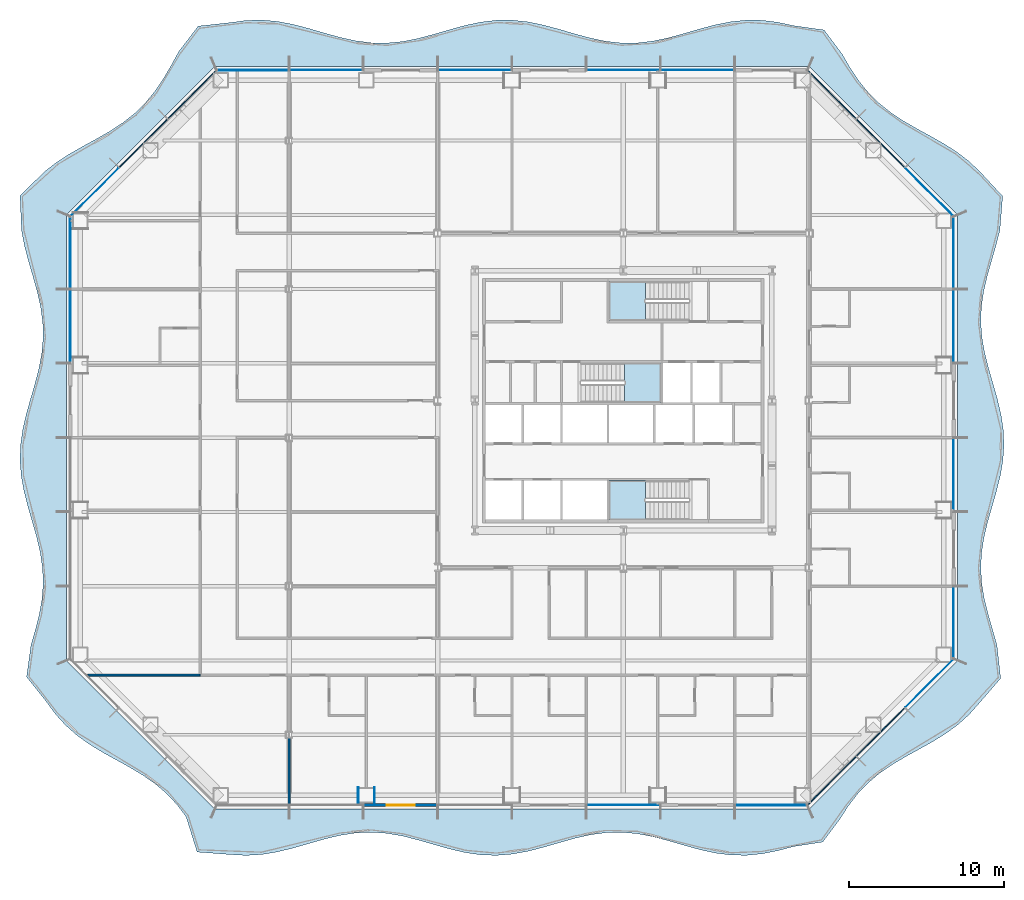
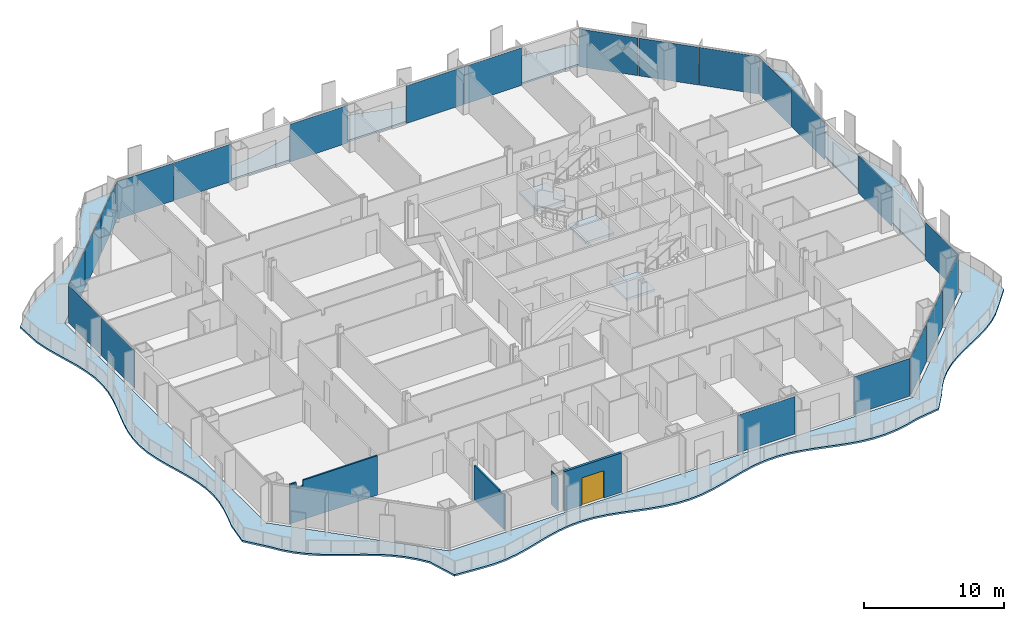
# One storey, part 5 of 21: 22 plates, 5 walls, 4 slabs, 1 door, 1 opening, 10 elements without a shape of their own.
"""IFC4 building model written with IfcOpenShell, lengths in metres."""

from ifc_helpers import new_model, si_unit, direction, frame, frame_2d, origin, origin_2d, place, context, subcontext, project, spatial, polyline, rectangle, outline, extrude, material, layer, layer_set, type_object, element, fill, aggregate, save


model = new_model("IFC4")

# Units and contexts
model_context = context("Model", 3, precision=1e-05, world=origin(), true_north=direction((0.0, 1.0)))
body_context = subcontext(model_context, "Body", "Model", "MODEL_VIEW")
ifc_project = project(units=[si_unit("LENGTHUNIT", "METRE"), si_unit("AREAUNIT", "SQUARE_METRE"), si_unit("VOLUMEUNIT", "CUBIC_METRE"), si_unit("PLANEANGLEUNIT", "RADIAN"), si_unit("MASSUNIT", "GRAM", prefix="KILO")], contexts=[model_context])

# Site, building, storey
site_placement = place(None, origin())
site = spatial("IfcSite", under=ifc_project, at=site_placement, CompositionType="ELEMENT")
building_placement = place(site_placement, origin())
building = spatial("IfcBuilding", under=site, at=building_placement, Name="Cairn Pilgrim Tower", CompositionType="ELEMENT")
storey_placement = place(building_placement, frame((0.0, 0.0, 47.39990234375)))
storey = spatial("IfcBuildingStorey", under=building, at=storey_placement, Name="L09", CompositionType="ELEMENT", Elevation=47.39990234375)

# Slab
ifc_material_1 = material(Name="Concrete C35/45", Category="concrete")
ifc_layer_1 = layer(ifc_material_1, 0.14990234375)
ifc_layer_set_1 = layer_set([ifc_layer_1], Name="BALCONY SLAB 150 CONCRETE C35/45")
slab_type_1 = type_object("IfcSlabType", Name="BALCONY SLAB 150 CONCRETE C35/45", PredefinedType="FLOOR", material=ifc_layer_set_1)
slab_1_placement = place(storey_placement, frame((0.0, 0.0, -0.14990234375)))
element("IfcSlab", 1, at=slab_1_placement, inside=storey, type_object=slab_type_1, Name="Balcony slab BS-1", PredefinedType="FLOOR", context=body_context, shape_type="SweptSolid", body=[
    extrude(outline(polyline([(-21.06494140625, -24.493408203125), (-20.3515625, -26.7802734375), (-18.189453125, -26.944091796875), (-17.178955078125, -27.0), (-16.16845703125, -26.939208984375), (-15.157958984375, -26.771484375), (-14.1474609375, -26.522705078125), (-13.136962890625, -26.2314453125), (-12.126220703125, -25.943115234375), (-11.11572265625, -25.702392578125), (-10.105224609375, -25.546875), (-9.0947265625, -25.500732421875), (-8.084228515625, -25.57080078125), (-7.07373046875, -25.74658203125), (-6.063232421875, -26.000732421875), (-5.052734375, -26.29345703125), (-4.0419921875, -26.579345703125), (-3.031494140625, -26.814208984375), (-2.02099609375, -26.96142578125), (-1.010498046875, -26.998046875), (0.0, -26.918212890625), (1.010498046875, -26.734619140625), (2.02099609375, -26.475830078125), (3.031494140625, -26.181884765625), (4.0419921875, -25.8984375), (5.052734375, -25.669677734375), (6.063232421875, -25.53125), (7.07373046875, -25.50439453125), (8.084228515625, -25.59326171875), (9.0947265625, -25.784423828125), (10.105224609375, -26.0478515625), (11.11572265625, -26.3427734375), (12.126220703125, -26.623291015625), (13.136962890625, -26.845703125), (14.1474609375, -26.9755859375), (15.157958984375, -26.99267578125), (16.16845703125, -26.894287109375), (17.178955078125, -26.69580078125), (18.189453125, -26.427978515625), (20.08349609375, -26.132568359375), (21.205078125, -24.633544921875), (21.740966796875, -23.798095703125), (22.337158203125, -23.02294921875), (23.006591796875, -22.321044921875), (23.751708984375, -21.694580078125), (24.563720703125, -21.13525390625), (25.4248046875, -20.624755859375), (26.3095703125, -20.13818359375), (27.189697265625, -19.646728515625), (28.037109375, -19.122802734375), (28.8291015625, -18.543212890625), (29.5498046875, -17.892578125), (30.194580078125, -17.166015625), (31.585205078125, -15.5537109375), (31.34521484375, -13.406982421875), (31.06103515625, -12.413818359375), (30.775146484375, -11.420654296875), (30.530517578125, -10.427490234375), (30.36376953125, -9.4345703125), (30.30029296875, -8.44140625), (30.349365234375, -7.4482421875), (30.50341796875, -6.455078125), (30.73974609375, -5.462158203125), (31.022705078125, -4.468994140625), (31.309814453125, -3.475830078125), (31.5576171875, -2.482666015625), (31.7294921875, -1.48974609375), (31.799072265625, -0.49658203125), (31.75634765625, 0.49658203125), (31.607421875, 1.48974609375), (31.374755859375, 2.482666015625), (31.093505859375, 3.475830078125), (30.8056640625, 4.468994140625), (30.554443359375, 5.462158203125), (30.377685546875, 6.455078125), (30.3017578125, 7.4482421875), (30.33837890625, 8.44140625), (30.481689453125, 9.4345703125), (30.71044921875, 10.427490234375), (30.990234375, 11.420654296875), (31.279052734375, 12.413818359375), (31.533447265625, 13.406982421875), (31.715087890625, 15.607421875), (30.23291015625, 17.204345703125), (29.529052734375, 17.871826171875), (28.752197265625, 18.466552734375), (27.915283203125, 19.0009765625), (27.040283203125, 19.497314453125), (26.15380859375, 19.982421875), (25.28515625, 20.4853515625), (24.46044921875, 21.03173828125), (23.69921875, 21.64208984375), (23.0126953125, 22.326904296875), (22.40087890625, 23.08642578125), (21.85302734375, 23.91015625), (21.349609375, 24.778076171875), (20.1748046875, 26.353515625), (18.189453125, 26.632568359375), (17.178955078125, 26.852294921875), (16.16845703125, 26.978271484375), (15.157958984375, 26.990966796875), (14.1474609375, 26.888671875), (13.136962890625, 26.68701171875), (12.126220703125, 26.41748046875), (11.11572265625, 26.121826171875), (10.105224609375, 25.84619140625), (9.0947265625, 25.63330078125), (8.084228515625, 25.516357421875), (7.07373046875, 25.51318359375), (6.063232421875, 25.624755859375), (5.052734375, 25.83349609375), (4.0419921875, 26.106689453125), (3.031494140625, 26.402587890625), (2.02099609375, 26.674560546875), (1.010498046875, 26.88037109375), (0.0, 26.988525390625), (-1.010498046875, 26.981689453125), (-2.02099609375, 26.861328125), (-3.031494140625, 26.645751953125), (-4.0419921875, 26.368896484375), (-5.052734375, 26.0732421875), (-6.063232421875, 25.805419921875), (-7.07373046875, 25.6064453125), (-8.084228515625, 25.507568359375), (-9.0947265625, 25.524169921875), (-10.105224609375, 25.653564453125), (-11.11572265625, 25.87548828125), (-12.126220703125, 26.15576171875), (-13.136962890625, 26.45068359375), (-14.1474609375, 26.71435546875), (-15.157958984375, 26.906005859375), (-16.16845703125, 26.99560546875), (-17.178955078125, 26.96923828125), (-18.189453125, 26.831298828125), (-20.278076171875, 26.602783203125), (-21.534423828125, 24.962890625), (-22.02001953125, 24.0771484375), (-22.526123046875, 23.211669921875), (-23.078125, 22.392578125), (-23.69580078125, 21.638671875), (-24.38818359375, 20.959716796875), (-25.15478515625, 20.354736328125), (-25.98388671875, 19.8125), (-26.85498046875, 19.312255859375), (-27.741455078125, 18.8271484375), (-28.614501953125, 18.328857421875), (-29.447265625, 17.790283203125), (-30.218994140625, 17.1904296875), (-31.793701171875, 15.64013671875), (-31.701171875, 13.406982421875), (-31.5107421875, 12.413818359375), (-31.251220703125, 11.420654296875), (-30.96142578125, 10.427490234375), (-30.684814453125, 9.4345703125), (-30.463134765625, 8.44140625), (-30.32958984375, 7.4482421875), (-30.304443359375, 6.455078125), (-30.390869140625, 5.462158203125), (-30.57666015625, 4.468994140625), (-30.833251953125, 3.475830078125), (-31.12255859375, 2.482666015625), (-31.40087890625, 1.48974609375), (-31.62646484375, 0.49658203125), (-31.765625, -0.49658203125), (-31.797119140625, -1.48974609375), (-31.716552734375, -2.482666015625), (-31.535888671875, -3.475830078125), (-31.2822265625, -4.468994140625), (-30.99365234375, -5.462158203125), (-30.713623046875, -6.455078125), (-30.48388671875, -7.4482421875), (-30.33935546875, -8.44140625), (-30.301513671875, -9.4345703125), (-30.3759765625, -10.427490234375), (-30.5517578125, -11.420654296875), (-30.802490234375, -12.413818359375), (-31.090087890625, -13.406982421875), (-31.371826171875, -15.46533203125), (-30.094482421875, -17.06591796875), (-29.514892578125, -17.857666015625), (-28.864013671875, -18.578369140625), (-28.137451171875, -19.22314453125), (-27.340576171875, -19.7978515625), (-26.48974609375, -20.318115234375), (-25.608154296875, -20.80810546875), (-24.72412109375, -21.295654296875), (-23.8662109375, -21.80908203125), (-23.058837890625, -22.373046875), (-22.319580078125, -23.005126953125), (-21.656005859375, -23.713134765625), (-21.06494140625, -24.493408203125)]), holes=[polyline([(19.199951171875, -24.0), (-19.199951171875, -24.0), (-28.800048828125, -14.39990234375), (-28.800048828125, 14.39990234375), (-19.199951171875, 24.0), (19.199951171875, 24.0), (28.800048828125, 14.39990234375), (28.800048828125, -14.39990234375), (19.199951171875, -24.0)])]), origin(), (0.0, 0.0, 1.0), 0.14990234375),
])

# Curtain wall, plate
ifc_material_2 = material(Name="Aluminium alloy 6063-T6 bronze anodised with Bronze tinted laminated low-E glass 8+16+8.8", Category="aluminium")
curtain_wall_type_1 = type_object("IfcCurtainWallType", Name="CHAMFER CORNER CURTAIN WALL", PredefinedType="NOTDEFINED", material=ifc_material_2)
curtain_wall_1_placement = place(storey_placement, origin())
curtain_wall_1 = element("IfcCurtainWall", 2, at=curtain_wall_1_placement, inside=storey, type_object=curtain_wall_type_1, Name="Chamfer Corner Curtain Wall SE", PredefinedType="NOTDEFINED")
ifc_material_3 = material(Name="Bronze anodised aluminium spandrel panel with mineral wool insulation", Category="aluminium")
ifc_layer_2 = layer(ifc_material_3, 0.06005859375)
ifc_layer_set_2 = layer_set([ifc_layer_2], Name="SPANDREL PANEL 4386x3300")
plate_type_1 = type_object("IfcPlateType", Name="SPANDREL PANEL 4386x3300", PredefinedType="CURTAIN_PANEL", material=ifc_layer_set_2)
plate_1_placement = place(storey_placement, frame((20.675537109375, -22.1708984375, 0.0), z_axis=(0.0, 0.0, 1.0), x_axis=(0.707106781187, 0.707106781187, 0.0)))
plate_1 = element("IfcPlate", 3, at=plate_1_placement, type_object=plate_type_1, Name="Spandrel Panel SE1-1", PredefinedType="CURTAIN_PANEL", context=body_context, shape_type="SweptSolid", body=[
    extrude(rectangle(XDim=4.386474609375, YDim=0.06005859375, at=origin_2d()), origin(), (0.0, 0.0, 1.0), 3.300048828125),
])

curtain_wall_2_placement = place(storey_placement, origin())
curtain_wall_2 = element("IfcCurtainWall", 4, at=curtain_wall_2_placement, inside=storey, type_object=curtain_wall_type_1, Name="Chamfer Corner Curtain Wall NE", PredefinedType="NOTDEFINED")
plate_2_placement = place(storey_placement, frame((20.675537109375, 22.1708984375, 0.0), z_axis=(0.0, 0.0, 1.0), x_axis=(-0.707106781187, 0.707106781187, 0.0)))
plate_2 = element("IfcPlate", 5, at=plate_2_placement, type_object=plate_type_1, Name="Spandrel Panel NE3-1", PredefinedType="CURTAIN_PANEL", context=body_context, shape_type="SweptSolid", body=[
    extrude(rectangle(XDim=4.386474609375, YDim=0.06005859375, at=origin_2d()), origin(), (0.0, 0.0, 1.0), 3.300048828125),
])

curtain_wall_3_placement = place(storey_placement, origin())
curtain_wall_3 = element("IfcCurtainWall", 6, at=curtain_wall_3_placement, inside=storey, type_object=curtain_wall_type_1, Name="Chamfer Corner Curtain Wall NW", PredefinedType="NOTDEFINED")
plate_3_placement = place(storey_placement, frame((-20.675537109375, 22.1708984375, 0.0), z_axis=(0.0, 0.0, 1.0), x_axis=(-0.707106781187, -0.707106781187, 0.0)))
plate_3 = element("IfcPlate", 7, at=plate_3_placement, type_object=plate_type_1, Name="Spandrel Panel NW1-1", PredefinedType="CURTAIN_PANEL", context=body_context, shape_type="SweptSolid", body=[
    extrude(rectangle(XDim=4.386474609375, YDim=0.06005859375, at=origin_2d()), origin(), (0.0, 0.0, 1.0), 3.300048828125),
])

# Plate
ifc_layer_3 = layer(ifc_material_3, 0.06005859375)
ifc_layer_set_3 = layer_set([ifc_layer_3], Name="SPANDREL PANEL 4396x3300")
plate_type_2 = type_object("IfcPlateType", Name="SPANDREL PANEL 4396x3300", PredefinedType="CURTAIN_PANEL", material=ifc_layer_set_3)
plate_4_placement = place(storey_placement, frame((23.8232421875, -19.023193359375, 0.0), z_axis=(0.0, 0.0, 1.0), x_axis=(0.707106781187, 0.707106781187, 0.0)))
plate_4 = element("IfcPlate", 8, at=plate_4_placement, type_object=plate_type_2, Name="Spandrel Panel SE2-1", PredefinedType="CURTAIN_PANEL", context=body_context, shape_type="SweptSolid", body=[
    extrude(rectangle(XDim=4.396484375, YDim=0.06005859375, at=origin_2d()), origin(), (0.0, 0.0, 1.0), 3.300048828125),
])

plate_5_placement = place(storey_placement, frame((23.8232421875, 19.023193359375, 0.0), z_axis=(0.0, 0.0, 1.0), x_axis=(-0.707106781187, 0.707106781187, 0.0)))
plate_5 = element("IfcPlate", 9, at=plate_5_placement, type_object=plate_type_2, Name="Spandrel Panel NE2-1", PredefinedType="CURTAIN_PANEL", context=body_context, shape_type="SweptSolid", body=[
    extrude(rectangle(XDim=4.396484375, YDim=0.06005859375, at=origin_2d()), origin(), (0.0, 0.0, 1.0), 3.300048828125),
])

plate_6_placement = place(storey_placement, frame((-23.8232421875, 19.023193359375, 0.0), z_axis=(0.0, 0.0, 1.0), x_axis=(-0.707106781187, -0.707106781187, 0.0)))
plate_6 = element("IfcPlate", 10, at=plate_6_placement, type_object=plate_type_2, Name="Spandrel Panel NW2-1", PredefinedType="CURTAIN_PANEL", context=body_context, shape_type="SweptSolid", body=[
    extrude(rectangle(XDim=4.396484375, YDim=0.06005859375, at=origin_2d()), origin(), (0.0, 0.0, 1.0), 3.300048828125),
])

# Curtain wall, plate
curtain_wall_type_2 = type_object("IfcCurtainWallType", Name="TOWER STICK CURTAIN WALL NS", PredefinedType="NOTDEFINED", material=ifc_material_2)
curtain_wall_4_placement = place(storey_placement, origin())
curtain_wall_4 = element("IfcCurtainWall", 11, at=curtain_wall_4_placement, inside=storey, type_object=curtain_wall_type_2, Name="Tower Stick Curtain Wall Ns S", PredefinedType="NOTDEFINED")
ifc_layer_4 = layer(ifc_material_3, 0.06005859375)
ifc_layer_set_4 = layer_set([ifc_layer_4], Name="SPANDREL PANEL 4626x3300")
plate_type_3 = type_object("IfcPlateType", Name="SPANDREL PANEL 4626x3300", PredefinedType="CURTAIN_PANEL", material=ifc_layer_set_4)
plate_7_placement = place(storey_placement, frame((16.7431640625, -23.75, 0.0), z_axis=(0.0, 0.0, 1.0), x_axis=(1.0, 0.0, 0.0)))
plate_7 = element("IfcPlate", 12, at=plate_7_placement, type_object=plate_type_3, Name="Spandrel Panel S8-1", PredefinedType="CURTAIN_PANEL", context=body_context, shape_type="SweptSolid", body=[
    extrude(rectangle(XDim=4.62646484375, YDim=0.06005859375, at=origin_2d()), origin(), (0.0, 0.0, 1.0), 3.300048828125),
])

curtain_wall_5_placement = place(storey_placement, origin())
curtain_wall_5 = element("IfcCurtainWall", 13, at=curtain_wall_5_placement, inside=storey, type_object=curtain_wall_type_2, Name="Tower Stick Curtain Wall Ns N", PredefinedType="NOTDEFINED")
plate_8_placement = place(storey_placement, frame((-16.7431640625, 23.75, 0.0), z_axis=(0.0, 0.0, 1.0), x_axis=(-1.0, 0.0, 0.0)))
plate_8 = element("IfcPlate", 14, at=plate_8_placement, type_object=plate_type_3, Name="Spandrel Panel N8-1", PredefinedType="CURTAIN_PANEL", context=body_context, shape_type="SweptSolid", body=[
    extrude(rectangle(XDim=4.62646484375, YDim=0.06005859375, at=origin_2d()), origin(), (0.0, 0.0, 1.0), 3.300048828125),
])

# Stair, slab
ifc_material_4 = material(Name="Concrete C32/40", Category="concrete")
stair_type = type_object("IfcStairType", Name="EXIT STAIR 1200", PredefinedType="HALF_TURN_STAIR", material=ifc_material_4)
stair_1_placement = place(storey_placement, origin())
stair_1 = element("IfcStair", 15, at=stair_1_placement, inside=storey, type_object=stair_type, Name="L09 Exit Stair A", PredefinedType="HALF_TURN_STAIR")
ifc_layer_5 = layer(ifc_material_4, 0.199951171875)
ifc_layer_set_5 = layer_set([ifc_layer_5], Name="STAIR LANDING 200")
slab_type_2 = type_object("IfcSlabType", Name="STAIR LANDING 200", PredefinedType="LANDING", material=ifc_layer_set_5)
slab_2_placement = place(storey_placement, frame((0.0, 0.0, 1.60009765625)))
slab_2 = element("IfcSlab", 16, at=slab_2_placement, type_object=slab_type_2, Name="ST-A landing 1", PredefinedType="LANDING", context=body_context, shape_type="SweptSolid", body=[
    extrude(outline(polyline([(8.625, -2.77490234375), (6.27490234375, -2.77490234375), (6.27490234375, -5.300048828125), (8.625, -5.300048828125), (8.625, -2.77490234375)])), origin(), (0.0, 0.0, 1.0), 0.199951171875),
])
aggregate(stair_1, [slab_2])

stair_2_placement = place(storey_placement, origin())
stair_2 = element("IfcStair", 17, at=stair_2_placement, inside=storey, type_object=stair_type, Name="L09 Exit Stair B", PredefinedType="HALF_TURN_STAIR")
slab_3_placement = place(storey_placement, frame((0.0, 0.0, 1.60009765625)))
slab_3 = element("IfcSlab", 18, at=slab_3_placement, type_object=slab_type_2, Name="ST-B landing 1", PredefinedType="LANDING", context=body_context, shape_type="SweptSolid", body=[
    extrude(outline(polyline([(7.27490234375, 2.27490234375), (9.625, 2.27490234375), (9.625, 4.824951171875), (7.27490234375, 4.824951171875), (7.27490234375, 2.27490234375)])), origin(), (0.0, 0.0, 1.0), 0.199951171875),
])
aggregate(stair_2, [slab_3])

stair_3_placement = place(storey_placement, origin())
stair_3 = element("IfcStair", 19, at=stair_3_placement, inside=storey, type_object=stair_type, Name="L09 Exit Stair C", PredefinedType="HALF_TURN_STAIR")
slab_4_placement = place(storey_placement, frame((0.0, 0.0, 1.60009765625)))
slab_4 = element("IfcSlab", 20, at=slab_4_placement, type_object=slab_type_2, Name="ST-C landing 1", PredefinedType="LANDING", context=body_context, shape_type="SweptSolid", body=[
    extrude(outline(polyline([(8.625, 10.10009765625), (6.27490234375, 10.10009765625), (6.27490234375, 7.574951171875), (8.625, 7.574951171875), (8.625, 10.10009765625)])), origin(), (0.0, 0.0, 1.0), 0.199951171875),
])
aggregate(stair_3, [slab_4])

# Plate
ifc_material_5 = material(Name="Bronze tinted laminated low-E glass 8+16+8.8", Category="glass")
ifc_layer_6 = layer(ifc_material_5, 0.033935546875)
ifc_layer_set_6 = layer_set([ifc_layer_6], Name="VISION GLAZING 4386x3300")
plate_type_4 = type_object("IfcPlateType", Name="VISION GLAZING 4386x3300", PredefinedType="CURTAIN_PANEL", material=ifc_layer_set_6)
plate_9_placement = place(storey_placement, frame((26.970947265625, -15.87548828125, 0.0), z_axis=(0.0, 0.0, 1.0), x_axis=(0.707106781187, 0.707106781187, 0.0)))
plate_9 = element("IfcPlate", 21, at=plate_9_placement, type_object=plate_type_4, Name="Vision Glazing SE3-1", PredefinedType="CURTAIN_PANEL", context=body_context, shape_type="SweptSolid", body=[
    extrude(rectangle(XDim=4.386474609375, YDim=0.033935546875, at=origin_2d()), origin(), (0.0, 0.0, 1.0), 3.300048828125),
])

aggregate(curtain_wall_1, [plate_1, plate_4, plate_9])

plate_10_placement = place(storey_placement, frame((26.970947265625, 15.87548828125, 0.0), z_axis=(0.0, 0.0, 1.0), x_axis=(-0.707106781187, 0.707106781187, 0.0)))
plate_10 = element("IfcPlate", 22, at=plate_10_placement, type_object=plate_type_4, Name="Vision Glazing NE1-1", PredefinedType="CURTAIN_PANEL", context=body_context, shape_type="SweptSolid", body=[
    extrude(rectangle(XDim=4.386474609375, YDim=0.033935546875, at=origin_2d()), origin(), (0.0, 0.0, 1.0), 3.300048828125),
])

aggregate(curtain_wall_2, [plate_10, plate_5, plate_2])

plate_11_placement = place(storey_placement, frame((-26.970947265625, 15.87548828125, 0.0), z_axis=(0.0, 0.0, 1.0), x_axis=(-0.707106781187, -0.707106781187, 0.0)))
plate_11 = element("IfcPlate", 23, at=plate_11_placement, type_object=plate_type_4, Name="Vision Glazing NW3-1", PredefinedType="CURTAIN_PANEL", context=body_context, shape_type="SweptSolid", body=[
    extrude(rectangle(XDim=4.386474609375, YDim=0.033935546875, at=origin_2d()), origin(), (0.0, 0.0, 1.0), 3.300048828125),
])

aggregate(curtain_wall_3, [plate_3, plate_6, plate_11])

# Curtain wall, plates
curtain_wall_type_3 = type_object("IfcCurtainWallType", Name="TOWER STICK CURTAIN WALL EW", PredefinedType="NOTDEFINED", material=ifc_material_2)
curtain_wall_6_placement = place(storey_placement, origin())
curtain_wall_6 = element("IfcCurtainWall", 24, at=curtain_wall_6_placement, inside=storey, type_object=curtain_wall_type_3, Name="Tower Stick Curtain Wall Ew E", PredefinedType="NOTDEFINED")
ifc_layer_7 = layer(ifc_material_5, 0.033935546875)
ifc_layer_set_7 = layer_set([ifc_layer_7], Name="VISION GLAZING 4626x3300")
plate_type_5 = type_object("IfcPlateType", Name="VISION GLAZING 4626x3300", PredefinedType="CURTAIN_PANEL", material=ifc_layer_set_7)
plate_12_placement = place(storey_placement, frame((28.550048828125, -11.943115234375, 0.0), z_axis=(0.0, 0.0, 1.0), x_axis=(0.0, 1.0, 0.0)))
plate_12 = element("IfcPlate", 25, at=plate_12_placement, type_object=plate_type_5, Name="Vision Glazing E1-1", PredefinedType="CURTAIN_PANEL", context=body_context, shape_type="SweptSolid", body=[
    extrude(rectangle(XDim=4.62646484375, YDim=0.033935546875, at=origin_2d()), origin(), (0.0, 0.0, 1.0), 3.300048828125),
])
plate_13_placement = place(storey_placement, frame((28.550048828125, 11.943115234375, 0.0), z_axis=(0.0, 0.0, 1.0), x_axis=(0.0, 1.0, 0.0)))
plate_13 = element("IfcPlate", 26, at=plate_13_placement, type_object=plate_type_5, Name="Vision Glazing E6-1", PredefinedType="CURTAIN_PANEL", context=body_context, shape_type="SweptSolid", body=[
    extrude(rectangle(XDim=4.62646484375, YDim=0.033935546875, at=origin_2d()), origin(), (0.0, 0.0, 1.0), 3.300048828125),
])

# Curtain wall, plate
curtain_wall_7_placement = place(storey_placement, origin())
curtain_wall_7 = element("IfcCurtainWall", 27, at=curtain_wall_7_placement, inside=storey, type_object=curtain_wall_type_3, Name="Tower Stick Curtain Wall Ew W", PredefinedType="NOTDEFINED")
plate_14_placement = place(storey_placement, frame((-28.550048828125, 11.943115234375, 0.0), z_axis=(0.0, 0.0, 1.0), x_axis=(0.0, -1.0, 0.0)))
plate_14 = element("IfcPlate", 28, at=plate_14_placement, type_object=plate_type_5, Name="Vision Glazing W1-1", PredefinedType="CURTAIN_PANEL", context=body_context, shape_type="SweptSolid", body=[
    extrude(rectangle(XDim=4.62646484375, YDim=0.033935546875, at=origin_2d()), origin(), (0.0, 0.0, 1.0), 3.300048828125),
])

# Plate
ifc_layer_8 = layer(ifc_material_5, 0.033935546875)
ifc_layer_set_8 = layer_set([ifc_layer_8], Name="VISION GLAZING 4740x3300")
plate_type_6 = type_object("IfcPlateType", Name="VISION GLAZING 4740x3300", PredefinedType="CURTAIN_PANEL", material=ifc_layer_set_8)
plate_15_placement = place(storey_placement, frame((7.199951171875, -23.75, 0.0), z_axis=(0.0, 0.0, 1.0), x_axis=(1.0, 0.0, 0.0)))
plate_15 = element("IfcPlate", 29, at=plate_15_placement, type_object=plate_type_6, Name="Vision Glazing S6-1", PredefinedType="CURTAIN_PANEL", context=body_context, shape_type="SweptSolid", body=[
    extrude(rectangle(XDim=4.739990234375, YDim=0.033935546875, at=origin_2d()), origin(), (0.0, 0.0, 1.0), 3.300048828125),
])

aggregate(curtain_wall_4, [plate_15, plate_7])

plate_16_placement = place(storey_placement, frame((28.550048828125, -2.39990234375, 0.0), z_axis=(0.0, 0.0, 1.0), x_axis=(0.0, 1.0, 0.0)))
plate_16 = element("IfcPlate", 30, at=plate_16_placement, type_object=plate_type_6, Name="Vision Glazing E3-1", PredefinedType="CURTAIN_PANEL", context=body_context, shape_type="SweptSolid", body=[
    extrude(rectangle(XDim=4.739990234375, YDim=0.033935546875, at=origin_2d()), origin(), (0.0, 0.0, 1.0), 3.300048828125),
])

plate_17_placement = place(storey_placement, frame((28.550048828125, 7.199951171875, 0.0), z_axis=(0.0, 0.0, 1.0), x_axis=(0.0, 1.0, 0.0)))
plate_17 = element("IfcPlate", 31, at=plate_17_placement, type_object=plate_type_6, Name="Vision Glazing E5-1", PredefinedType="CURTAIN_PANEL", context=body_context, shape_type="SweptSolid", body=[
    extrude(rectangle(XDim=4.739990234375, YDim=0.033935546875, at=origin_2d()), origin(), (0.0, 0.0, 1.0), 3.300048828125),
])

aggregate(curtain_wall_6, [plate_12, plate_16, plate_17, plate_13])

plate_18_placement = place(storey_placement, frame((12.0, 23.75, 0.0), z_axis=(0.0, 0.0, 1.0), x_axis=(-1.0, 0.0, 0.0)))
plate_18 = element("IfcPlate", 32, at=plate_18_placement, type_object=plate_type_6, Name="Vision Glazing N2-1", PredefinedType="CURTAIN_PANEL", context=body_context, shape_type="SweptSolid", body=[
    extrude(rectangle(XDim=4.739990234375, YDim=0.033935546875, at=origin_2d()), origin(), (0.0, 0.0, 1.0), 3.300048828125),
])

plate_19_placement = place(storey_placement, frame((7.199951171875, 23.75, 0.0), z_axis=(0.0, 0.0, 1.0), x_axis=(-1.0, 0.0, 0.0)))
plate_19 = element("IfcPlate", 33, at=plate_19_placement, type_object=plate_type_6, Name="Vision Glazing N3-1", PredefinedType="CURTAIN_PANEL", context=body_context, shape_type="SweptSolid", body=[
    extrude(rectangle(XDim=4.739990234375, YDim=0.033935546875, at=origin_2d()), origin(), (0.0, 0.0, 1.0), 3.300048828125),
])

plate_20_placement = place(storey_placement, frame((-2.39990234375, 23.75, 0.0), z_axis=(0.0, 0.0, 1.0), x_axis=(-1.0, 0.0, 0.0)))
plate_20 = element("IfcPlate", 34, at=plate_20_placement, type_object=plate_type_6, Name="Vision Glazing N5-1", PredefinedType="CURTAIN_PANEL", context=body_context, shape_type="SweptSolid", body=[
    extrude(rectangle(XDim=4.739990234375, YDim=0.033935546875, at=origin_2d()), origin(), (0.0, 0.0, 1.0), 3.300048828125),
])

plate_21_placement = place(storey_placement, frame((-12.0, 23.75, 0.0), z_axis=(0.0, 0.0, 1.0), x_axis=(-1.0, 0.0, 0.0)))
plate_21 = element("IfcPlate", 35, at=plate_21_placement, type_object=plate_type_6, Name="Vision Glazing N7-1", PredefinedType="CURTAIN_PANEL", context=body_context, shape_type="SweptSolid", body=[
    extrude(rectangle(XDim=4.739990234375, YDim=0.033935546875, at=origin_2d()), origin(), (0.0, 0.0, 1.0), 3.300048828125),
])

aggregate(curtain_wall_5, [plate_18, plate_19, plate_20, plate_21, plate_8])

plate_22_placement = place(storey_placement, frame((-28.550048828125, 7.199951171875, 0.0), z_axis=(0.0, 0.0, 1.0), x_axis=(0.0, -1.0, 0.0)))
plate_22 = element("IfcPlate", 36, at=plate_22_placement, type_object=plate_type_6, Name="Vision Glazing W2-1", PredefinedType="CURTAIN_PANEL", context=body_context, shape_type="SweptSolid", body=[
    extrude(rectangle(XDim=4.739990234375, YDim=0.033935546875, at=origin_2d()), origin(), (0.0, 0.0, 1.0), 3.300048828125),
])

aggregate(curtain_wall_7, [plate_14, plate_22])

# Wall, opening, door
ifc_material_6 = material(Name="Bronze anodised aluminium insulated sandwich panel with mineral wool fill", Category="aluminium")
ifc_layer_9 = layer(ifc_material_6, 0.199951171875)
ifc_layer_set_9 = layer_set([ifc_layer_9], Name="BRONZE INFILL FRAME WALL 200")
wall_type_1 = type_object("IfcWallType", Name="BRONZE INFILL FRAME WALL 200", PredefinedType="NOTDEFINED", material=ifc_layer_set_9)
wall_1_placement = place(storey_placement, frame((-9.570068359375, -23.75, 0.0), z_axis=(0.0, 0.0, 1.0), x_axis=(1.0, 0.0, 0.0)))
wall_1 = element("IfcWall", 37, at=wall_1_placement, inside=storey, type_object=wall_type_1, Name="Bronze infill frame wall IW-S3", PredefinedType="NOTDEFINED", context=body_context, shape_type="SweptSolid", body=[
    extrude(rectangle(XDim=4.739990234375, YDim=0.199951171875, at=frame_2d((2.3701171875, 0.0))), origin(), (0.0, 0.0, 1.0), 3.4501953125),
])
opening_placement = place(wall_1_placement, frame((1.469970703125, 0.0, 0.0)))
opening = element("IfcOpeningElement", 38, at=opening_placement, cuts=wall_1, Name="Opening 0903B", PredefinedType="OPENING", context=body_context, shape_type="SweptSolid", body=[
    extrude(rectangle(XDim=1.800048828125, YDim=2.39990234375, at=frame_2d((0.89990234375, 1.199951171875))), frame((0.0, 0.10986328125, 0.0), z_axis=(0.0, -1.0, 0.0), x_axis=(1.0, 0.0, 0.0)), (0.0, 0.0, 1.0), 0.219970703125),
])
ifc_material_7 = material(Name="Bronze anodised aluminium frame with tinted low-E glass", Category="aluminium")
door_type = type_object("IfcDoorType", Name="BALCONY SLIDING DOOR 1800x2400", OperationType="DOUBLE_DOOR_SLIDING", PredefinedType="DOOR", material=ifc_material_7)
door_placement = place(opening_placement, origin())
door = element("IfcDoor", 39, at=door_placement, inside=storey, type_object=door_type, Name="Balcony sliding door 0903B", OperationType="SINGLE_SWING_LEFT", OverallHeight=2.39990234375, OverallWidth=1.800048828125, PredefinedType="DOOR", context=body_context, shape_type="SweptSolid", body=[
    extrude(rectangle(XDim=1.800048828125, YDim=2.39990234375, at=frame_2d((0.89990234375, 1.199951171875))), frame((0.0, 0.02490234375, 0.0), z_axis=(0.0, -1.0, 0.0), x_axis=(1.0, 0.0, 0.0)), (0.0, 0.0, 1.0), 0.050048828125),
])
fill(opening, door)

# Walls
ifc_material_8 = material(Name="Gypsum partition")
ifc_layer_10 = layer(ifc_material_8, 0.125)
ifc_layer_set_10 = layer_set([ifc_layer_10], Name="PARTITION 125 DRYWALL EI 60")
wall_type_2 = type_object("IfcWallType", Name="PARTITION 125 DRYWALL EI 60", PredefinedType="PARTITIONING", material=ifc_layer_set_10)
wall_2_placement = place(storey_placement, frame((-14.39990234375, -23.68994140625, 0.0), z_axis=(0.0, 0.0, 1.0), x_axis=(0.0, 1.0, 0.0)))
element("IfcWall", 40, at=wall_2_placement, inside=storey, type_object=wall_type_2, Name="PARTITION W001", PredefinedType="PARTITIONING", context=body_context, shape_type="SweptSolid", body=[
    extrude(outline(polyline([(0.0, 0.0), (4.27734375, 0.0), (4.277587890625, 3.030029296875), (0.739990234375, 3.030029296875), (0.738037109375, 2.93017578125), (0.43994140625, 2.93017578125), (0.43798828125, 3.030029296875), (0.0, 3.030029296875), (0.0, 0.0)])), frame((0.0, 0.0625, 0.0), z_axis=(0.0, -1.0, 0.0), x_axis=(1.0, 0.0, 0.0)), (0.0, 0.0, 1.0), 0.125),
])
wall_3_placement = place(storey_placement, frame((-27.406982421875, -15.35009765625, 0.0), z_axis=(0.0, 0.0, 1.0), x_axis=(1.0, 0.0, 0.0)))
element("IfcWall", 41, at=wall_3_placement, inside=storey, type_object=wall_type_2, Name="PARTITION W021", PredefinedType="PARTITIONING", context=body_context, shape_type="SweptSolid", body=[
    extrude(outline(polyline([(0.0, 0.0), (7.257080078125, 0.0), (7.257080078125, 3.4501953125), (1.1044921875, 3.4501953125), (1.102294921875, 2.93017578125), (0.55517578125, 2.93017578125), (0.552978515625, 3.4501953125), (0.0, 3.4501953125), (0.0, 0.0)])), frame((0.0, 0.0625, 0.0), z_axis=(0.0, -1.0, 0.0), x_axis=(1.0, 0.0, 0.0)), (0.0, 0.0, 1.0), 0.125),
])
ifc_layer_11 = layer(ifc_material_8, 0.050048828125)
ifc_layer_set_11 = layer_set([ifc_layer_11], Name="PARTITION 50 DRYWALL EI 60")
wall_type_3 = type_object("IfcWallType", Name="PARTITION 50 DRYWALL EI 60", PredefinedType="PARTITIONING", material=ifc_layer_set_11)
for number, where, z_axis, x_axis, name in (
    (42, (-9.938720703125, -23.60009765625, 0.0), (0.0, 0.0, 1.0), (0.0, 1.0, 0.0), "COLUMN CASING WC06"),
    (43, (-8.888671875, -23.60009765625, 0.0), (0.0, 0.0, 1.0), (0.0, 1.0, 0.0), "COLUMN CASING WC07"),
):
    element("IfcWall", number, at=place(storey_placement, frame(where, z_axis=z_axis, x_axis=x_axis)), inside=storey, type_object=wall_type_3, Name=name, PredefinedType="PARTITIONING", context=body_context, shape_type="SweptSolid", body=[
        extrude(rectangle(XDim=1.0, YDim=0.050048828125, at=frame_2d((0.5, 0.0))), origin(), (0.0, 0.0, 1.0), 2.93017578125),
    ])

save(model, "model.ifc")
